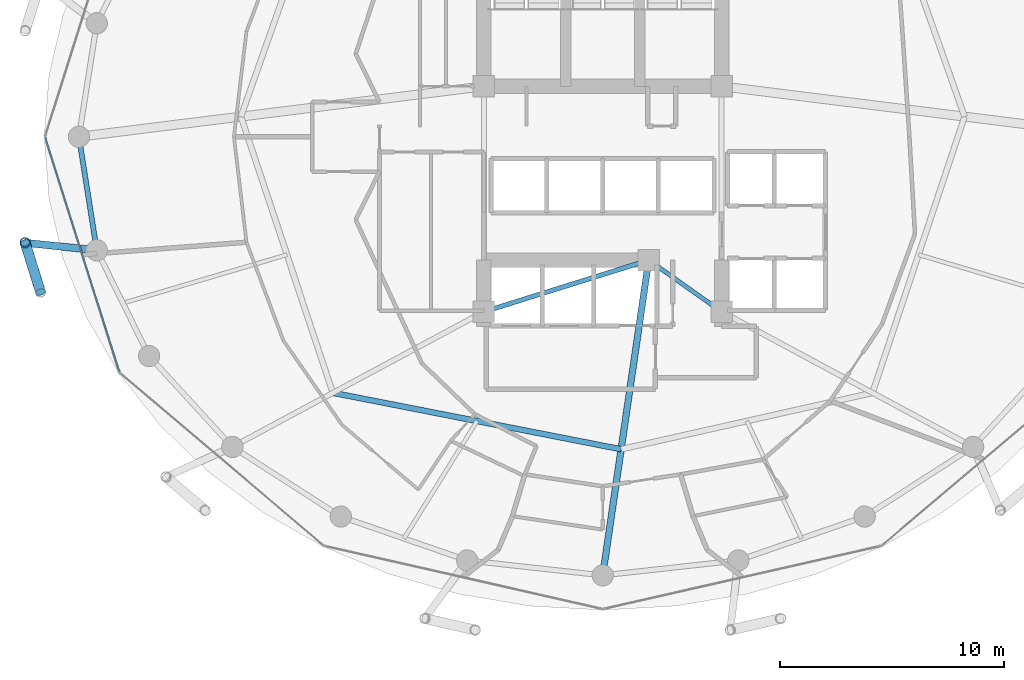
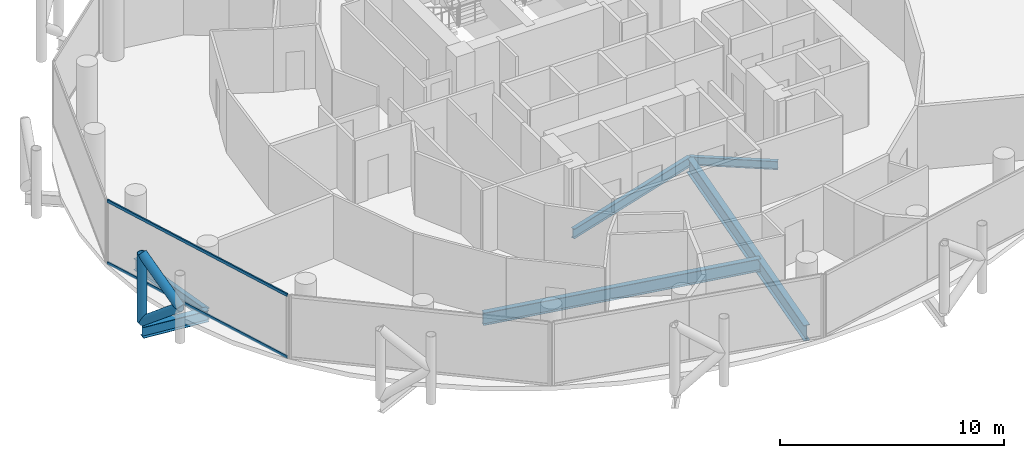
# One storey, part 5 of 26: 6 beams, 5 members, 1 element without a shape of its own.
"""IFC4 building model written with IfcOpenShell, lengths in metres."""

from ifc_helpers import new_model, si_unit, direction, frame, origin, origin_2d, place, context, subcontext, project, spatial, hollow_rectangle, hollow_circle, i_section, extrude, material, layer, layer_set, material_profile, profile_set, type_object, element, aggregate, save


model = new_model("IFC4")

# Units and contexts
model_context = context("Model", 3, precision=1e-05, world=origin(), true_north=direction((0.0, 1.0)))
body_context = subcontext(model_context, "Body", "Model", "MODEL_VIEW")
ifc_project = project(units=[si_unit("LENGTHUNIT", "METRE"), si_unit("AREAUNIT", "SQUARE_METRE"), si_unit("VOLUMEUNIT", "CUBIC_METRE"), si_unit("PLANEANGLEUNIT", "RADIAN"), si_unit("MASSUNIT", "GRAM", prefix="KILO")], contexts=[model_context])

# Site, building, storey
site_placement = place(None, origin())
site = spatial("IfcSite", under=ifc_project, at=site_placement, CompositionType="ELEMENT")
building_placement = place(site_placement, origin())
building = spatial("IfcBuilding", under=site, at=building_placement, Name="Nuhasar Tower", CompositionType="ELEMENT")
storey_placement = place(building_placement, frame((0.0, 0.0, 140.449951171875)))
storey = spatial("IfcBuildingStorey", under=building, at=storey_placement, Name="L33", CompositionType="ELEMENT", Elevation=140.449951171875)

# Beams
ifc_material_1 = material(Name="Steel S355", Category="steel")
ifc_material_profile_1 = material_profile(ifc_material_1, i_section(OverallWidth=0.25390625, OverallDepth=0.68408203125, WebThickness=0.012451171875, FlangeThickness=0.018798828125, at=origin_2d()), Name="W27X94")
ifc_profile_set_1 = profile_set([ifc_material_profile_1], Name="Steel S355")
beam_type_1 = type_object("IfcBeamType", Name="BM-INRING-W27X94", PredefinedType="BEAM", material=ifc_profile_set_1)
beam_1_placement = place(storey_placement, frame((26.972900390625, 15.385986328125, -0.592041015625), z_axis=(0.981359637088, -0.192180286956, 0.0), x_axis=(0.192180286956, 0.981359637088, 0.0)))
element("IfcBeam", 1, at=beam_1_placement, inside=storey, type_object=beam_type_1, Name="L33 Inner Header Beam 01", PredefinedType="BEAM", context=body_context, shape_type="SweptSolid", body=[
    extrude(i_section(OverallWidth=0.25390625, OverallDepth=0.68408203125, WebThickness=0.012451171875, FlangeThickness=0.018798828125, at=origin_2d()), origin(), (0.0, 0.0, 1.0), 13.09130859375),
])
ifc_material_profile_2 = material_profile(ifc_material_1, i_section(OverallWidth=0.2919921875, OverallDepth=0.85888671875, WebThickness=0.01708984375, FlangeThickness=0.031005859375, at=origin_2d()), Name="W33X169")
ifc_profile_set_2 = profile_set([ifc_material_profile_2], Name="Steel S355")
beam_type_2 = type_object("IfcBeamType", Name="BM-POD-W33X169", PredefinedType="BEAM", material=ifc_profile_set_2)
beam_2_placement = place(storey_placement, frame((41.050048828125, 21.300048828125, -0.679931640625), z_axis=(-0.144381604017, -0.989522082837, 0.0), x_axis=(0.989522082837, -0.144381604017, 0.0)))
element("IfcBeam", 2, at=beam_2_placement, inside=storey, type_object=beam_type_2, Name="L33 Radial Floor Girder 02", PredefinedType="BEAM", context=body_context, shape_type="SweptSolid", body=[
    extrude(i_section(OverallWidth=0.2919921875, OverallDepth=0.85888671875, WebThickness=0.01708984375, FlangeThickness=0.031005859375, at=origin_2d()), origin(), (0.0, 0.0, 1.0), 14.19873046875),
])
ifc_material_profile_3 = material_profile(ifc_material_1, i_section(OverallWidth=0.18994140625, OverallDepth=0.45703125, WebThickness=0.009033203125, FlangeThickness=0.014404296875, at=origin_2d()), Name="W18X50")
ifc_profile_set_3 = profile_set([ifc_material_profile_3], Name="Steel S355")
beam_type_3 = type_object("IfcBeamType", Name="BM-RAD-W18X50", PredefinedType="BEAM", material=ifc_profile_set_3)
beam_3_placement = place(storey_placement, frame((41.050048828125, 21.300048828125, -0.47900390625), z_axis=(0.816265428953, -0.577677028708, 0.0), x_axis=(0.577677028708, 0.816265428953, 0.0)))
element("IfcBeam", 3, at=beam_3_placement, inside=storey, type_object=beam_type_3, Name="L33 Core Ring Girder 2", PredefinedType="BEAM", context=body_context, shape_type="SweptSolid", body=[
    extrude(i_section(OverallWidth=0.18994140625, OverallDepth=0.45703125, WebThickness=0.009033203125, FlangeThickness=0.014404296875, at=origin_2d()), origin(), (0.0, 0.0, 1.0), 3.9814453125),
])
ifc_material_profile_4 = material_profile(ifc_material_1, i_section(OverallWidth=0.208984375, OverallDepth=0.532958984375, WebThickness=0.01025390625, FlangeThickness=0.015625, at=origin_2d()), Name="W21X62")
ifc_profile_set_4 = profile_set([ifc_material_profile_4], Name="Steel S355")
beam_type_4 = type_object("IfcBeamType", Name="BM-RAD-W21X62", PredefinedType="BEAM", material=ifc_profile_set_4)
beam_4_placement = place(storey_placement, frame((33.699951171875, 19.0, -0.516845703125), z_axis=(0.954363709454, 0.298646798205, 0.0), x_axis=(-0.298646798205, 0.954363709454, 0.0)))
element("IfcBeam", 4, at=beam_4_placement, inside=storey, type_object=beam_type_4, Name="L33 Core Ring Girder 1", PredefinedType="BEAM", context=body_context, shape_type="SweptSolid", body=[
    extrude(i_section(OverallWidth=0.208984375, OverallDepth=0.532958984375, WebThickness=0.01025390625, FlangeThickness=0.015625, at=origin_2d()), origin(), (0.0, 0.0, 1.0), 7.70166015625),
])
ifc_material_profile_5 = material_profile(ifc_material_1, i_section(OverallWidth=0.22998046875, OverallDepth=0.616943359375, WebThickness=0.01318359375, FlangeThickness=0.022216796875, at=origin_2d()), Name="W24X94")
ifc_profile_set_5 = profile_set([ifc_material_profile_5], Name="Steel S355")
beam_type_5 = type_object("IfcBeamType", Name="BM-RING-W24X94", PredefinedType="SPANDREL", material=ifc_profile_set_5)
beam_5_placement = place(storey_placement, frame((15.64990234375, 26.800048828125, -0.558837890625), z_axis=(0.155426543608, -0.987847452566, 0.0), x_axis=(0.987847452566, 0.155426543608, 0.0)))
element("IfcBeam", 5, at=beam_5_placement, inside=storey, type_object=beam_type_5, Name="L33 Perimeter Ring Spandrel 13", PredefinedType="SPANDREL", context=body_context, shape_type="SweptSolid", body=[
    extrude(i_section(OverallWidth=0.22998046875, OverallDepth=0.616943359375, WebThickness=0.01318359375, FlangeThickness=0.022216796875, at=origin_2d()), origin(), (0.0, 0.0, 1.0), 5.122314453125),
])
ifc_material_profile_6 = material_profile(ifc_material_1, i_section(OverallWidth=0.323974609375, OverallDepth=0.611083984375, WebThickness=0.0126953125, FlangeThickness=0.01904296875, at=origin_2d()), Name="W24X104")
ifc_profile_set_6 = profile_set([ifc_material_profile_6], Name="Steel S355")
beam_type_6 = type_object("IfcBeamType", Name="BM-TIE-W24X104", PredefinedType="BEAM", material=ifc_profile_set_6)
beam_6_placement = place(storey_placement, frame((16.446044921875, 21.739990234375, -0.555908203125), z_axis=(-0.994577694483, 0.103996200111, 0.0), x_axis=(-0.103996200111, -0.994577694483, 0.0)))
element("IfcBeam", 6, at=beam_6_placement, inside=storey, type_object=beam_type_6, Name="L33 Exoskeleton Node Tie Beam 07", PredefinedType="BEAM", context=body_context, shape_type="SweptSolid", body=[
    extrude(i_section(OverallWidth=0.323974609375, OverallDepth=0.611083984375, WebThickness=0.0126953125, FlangeThickness=0.01904296875, at=origin_2d()), origin(), (0.0, 0.0, 1.0), 3.21142578125),
])

# Curtain wall, members
ifc_material_2 = material(Name="Aluminium 6063-T6", Category="aluminium")
ifc_layer = layer(ifc_material_2, 0.199951171875)
ifc_layer_set = layer_set([ifc_layer], Name="Aluminium 6063-T6")
curtain_wall_type = type_object("IfcCurtainWallType", Name="CW-Z2-HTL", PredefinedType="NOTDEFINED", material=ifc_layer_set)
curtain_wall_placement = place(storey_placement, origin())
curtain_wall = element("IfcCurtainWall", 7, at=curtain_wall_placement, inside=storey, type_object=curtain_wall_type, Name="L33 Unitised Curtain Wall 07", PredefinedType="NOTDEFINED")
ifc_material_profile_7 = material_profile(ifc_material_2, hollow_rectangle(XDim=0.070068359375, YDim=0.159912109375, WallThickness=0.00439453125, at=origin_2d()), Name="CWT-3")
ifc_profile_set_7 = profile_set([ifc_material_profile_7], Name="Aluminium 6063-T6")
member_type_1 = type_object("IfcMemberType", Name="CW-TRN-S3", PredefinedType="USERDEFINED", material=ifc_profile_set_7)
member_1_placement = place(storey_placement, frame((14.1611328125, 26.733154296875, 0.03515625), z_axis=(0.301608163352, -0.953431967053, 0.0), x_axis=(0.953431967053, 0.301608163352, 0.0)))
member_1 = element("IfcMember", 8, at=member_1_placement, type_object=member_type_1, Name="CW-Z2 transom 1.1", ObjectType="TRANSOM", PredefinedType="USERDEFINED", context=body_context, shape_type="SweptSolid", body=[
    extrude(hollow_rectangle(XDim=0.070068359375, YDim=0.159912109375, WallThickness=0.00439453125, at=origin_2d()), origin(), (0.0, 0.0, 1.0), 10.904296875),
])
member_2_placement = place(storey_placement, frame((14.1611328125, 26.733154296875, 3.4150390625), z_axis=(0.301608163352, -0.953431967053, 0.0), x_axis=(0.953431967053, 0.301608163352, 0.0)))
member_2 = element("IfcMember", 9, at=member_2_placement, type_object=member_type_1, Name="CW-Z2 transom 1.2", ObjectType="TRANSOM", PredefinedType="USERDEFINED", context=body_context, shape_type="SweptSolid", body=[
    extrude(hollow_rectangle(XDim=0.070068359375, YDim=0.159912109375, WallThickness=0.00439453125, at=origin_2d()), origin(), (0.0, 0.0, 1.0), 10.904296875),
])
aggregate(curtain_wall, [member_1, member_2])

# Members
ifc_material_3 = material(Name="Steel S460", Category="steel")
ifc_material_profile_8 = material_profile(ifc_material_3, hollow_circle(Radius=0.228515625, WallThickness=0.022216796875, at=origin_2d()), Name="HSS457X22.2")
ifc_profile_set_8 = profile_set([ifc_material_profile_8], Name="Steel S460")
member_type_2 = type_object("IfcMemberType", Name="EXO-BRONZE-457", PredefinedType="BRACE", material=ifc_profile_set_8)
member_3_placement = place(storey_placement, frame((13.251953125, 22.073974609375, 0.0), z_axis=(0.0, 0.0, 1.0), x_axis=(1.0, 0.0, 0.0)))
element("IfcMember", 10, at=member_3_placement, inside=storey, type_object=member_type_2, Name="L33 Exoskeleton Chord Column EC-07A", PredefinedType="BRACE", context=body_context, shape_type="SweptSolid", body=[
    extrude(hollow_circle(Radius=0.228515625, WallThickness=0.022216796875, at=origin_2d()), origin(), (0.0, 0.0, 1.0), 3.699951171875),
])
member_4_placement = place(storey_placement, frame((13.251953125, 22.073974609375, 0.0), z_axis=(0.233055548538, -0.743577869731, 0.626719285599), x_axis=(0.954228474306, 0.29907861646, 0.0)))
element("IfcMember", 11, at=member_4_placement, inside=storey, type_object=member_type_2, Name="L33 Bronze Diagrid Brace W1-07", PredefinedType="BRACE", context=body_context, shape_type="SweptSolid", body=[
    extrude(hollow_circle(Radius=0.228515625, WallThickness=0.022216796875, at=origin_2d()), origin(), (0.0, 0.0, 1.0), 2.9521484375),
])
member_5_placement = place(storey_placement, frame((13.93994140625, 19.87890625, 1.85009765625), z_axis=(-0.233067628236, 0.74361641074, 0.626669062861), x_axis=(-0.954228474306, -0.29907861646, 0.0)))
element("IfcMember", 12, at=member_5_placement, inside=storey, type_object=member_type_2, Name="L33 Bronze Diagrid Brace W2-07", PredefinedType="BRACE", context=body_context, shape_type="SweptSolid", body=[
    extrude(hollow_circle(Radius=0.228515625, WallThickness=0.022216796875, at=origin_2d()), origin(), (0.0, 0.0, 1.0), 2.951904296875),
])

save(model, "model.ifc")
